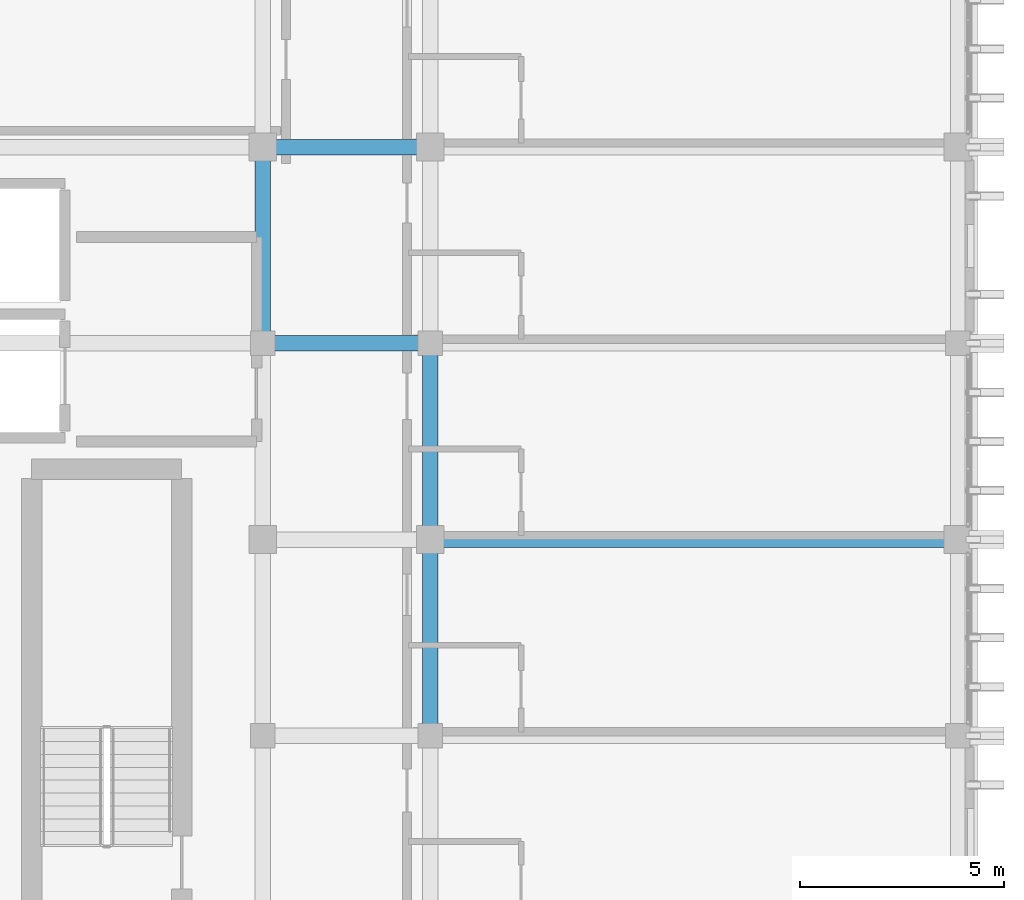
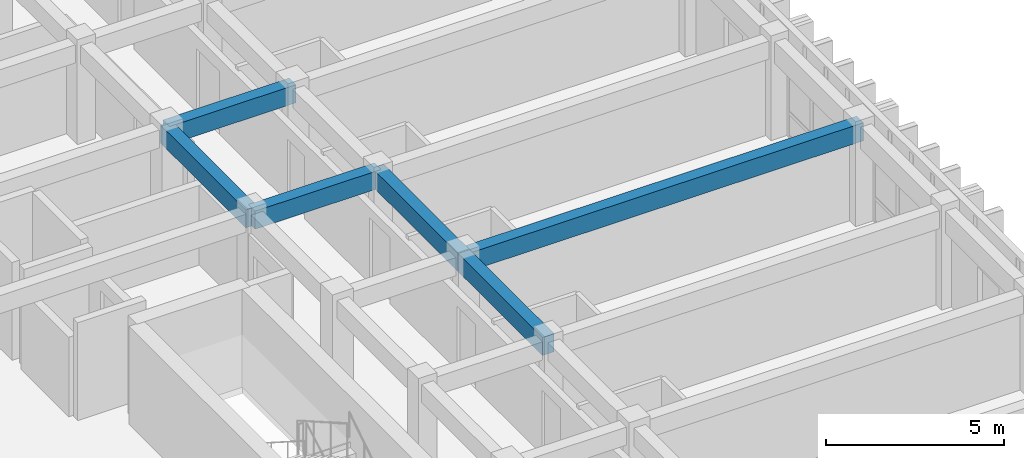
# One storey, part 22 of 53: 6 beams.
"""IFC4 building model written with IfcOpenShell, lengths in metres."""

from ifc_helpers import new_model, si_unit, direction, frame, origin, origin_2d, place, context, subcontext, project, spatial, rectangle, extrude, material, material_profile, profile_set, type_object, element, save


model = new_model("IFC4")

# Units and contexts
model_context = context("Model", 3, precision=1e-05, world=origin(), true_north=direction((0.0, 1.0)))
body_context = subcontext(model_context, "Body", "Model", "MODEL_VIEW")
ifc_project = project(units=[si_unit("LENGTHUNIT", "METRE"), si_unit("AREAUNIT", "SQUARE_METRE"), si_unit("VOLUMEUNIT", "CUBIC_METRE"), si_unit("PLANEANGLEUNIT", "RADIAN"), si_unit("MASSUNIT", "GRAM", prefix="KILO")], contexts=[model_context])

# Site, building, storey
site_placement = place(None, origin())
site = spatial("IfcSite", under=ifc_project, at=site_placement, CompositionType="ELEMENT")
building_placement = place(site_placement, origin())
building = spatial("IfcBuilding", under=site, at=building_placement, Name="Nakhvara Creek Congress Hotel", CompositionType="ELEMENT")
storey_placement = place(building_placement, frame((0.0, 0.0, 35.39990234375)))
storey = spatial("IfcBuildingStorey", under=building, at=storey_placement, Name="L08", CompositionType="ELEMENT", Elevation=35.39990234375)

# Beams
ifc_material = material(Name="Concrete C40/50", Category="concrete")
ifc_material_profile = material_profile(ifc_material, rectangle(XDim=0.3798828125, YDim=0.6201171875, at=origin_2d()), Name="RC-BM 380x620", Category="LoadBearing")
ifc_profile_set = profile_set([ifc_material_profile], Name="Concrete C40/50")
beam_type = type_object("IfcBeamType", Name="BM-RC-380X620", PredefinedType="BEAM", material=ifc_profile_set)
beam_1_placement = place(storey_placement, frame((162.35009765625, 96.0, 3.050048828125), z_axis=(1.0, 0.0, 0.0), x_axis=(0.0, 1.0, 0.0)))
element("IfcBeam", 1, at=beam_1_placement, inside=storey, type_object=beam_type, Name="Beam B10-L08-2462", PredefinedType="BEAM", context=body_context, shape_type="SweptSolid", body=[
    extrude(rectangle(XDim=0.3798828125, YDim=0.6201171875, at=origin_2d()), origin(), (0.0, 0.0, 1.0), 4.099853515625),
])
beam_2_placement = place(storey_placement, frame((162.35009765625, 91.199951171875, 3.050048828125), z_axis=(0.0, 1.0, 0.0), x_axis=(-1.0, 0.0, 0.0)))
element("IfcBeam", 2, at=beam_2_placement, inside=storey, type_object=beam_type, Name="Beam B10-L08-2463", PredefinedType="BEAM", context=body_context, shape_type="SweptSolid", body=[
    extrude(rectangle(XDim=0.3798828125, YDim=0.6201171875, at=origin_2d()), origin(), (0.0, 0.0, 1.0), 4.800048828125),
])
beam_3_placement = place(storey_placement, frame((166.449951171875, 86.39990234375, 3.050048828125), z_axis=(1.0, 0.0, 0.0), x_axis=(0.0, 1.0, 0.0)))
element("IfcBeam", 3, at=beam_3_placement, inside=storey, type_object=beam_type, Name="Beam B10-L08-2482", PredefinedType="BEAM", context=body_context, shape_type="SweptSolid", body=[
    extrude(rectangle(XDim=0.3798828125, YDim=0.6201171875, at=origin_2d()), origin(), (0.0, 0.0, 1.0), 12.900146484375),
])
beam_4_placement = place(storey_placement, frame((166.449951171875, 81.60009765625, 3.050048828125), z_axis=(0.0, 1.0, 0.0), x_axis=(-1.0, 0.0, 0.0)))
element("IfcBeam", 4, at=beam_4_placement, inside=storey, type_object=beam_type, Name="Beam B10-L08-2483", PredefinedType="BEAM", context=body_context, shape_type="SweptSolid", body=[
    extrude(rectangle(XDim=0.3798828125, YDim=0.6201171875, at=origin_2d()), origin(), (0.0, 0.0, 1.0), 4.7998046875),
])
beam_5_placement = place(storey_placement, frame((166.449951171875, 86.39990234375, 3.050048828125), z_axis=(0.0, 1.0, 0.0), x_axis=(-1.0, 0.0, 0.0)))
element("IfcBeam", 5, at=beam_5_placement, inside=storey, type_object=beam_type, Name="Beam B10-L08-2484", PredefinedType="BEAM", context=body_context, shape_type="SweptSolid", body=[
    extrude(rectangle(XDim=0.3798828125, YDim=0.6201171875, at=origin_2d()), origin(), (0.0, 0.0, 1.0), 4.800048828125),
])
beam_6_placement = place(storey_placement, frame((162.35009765625, 91.199951171875, 3.050048828125), z_axis=(1.0, 0.0, 0.0), x_axis=(0.0, 1.0, 0.0)))
element("IfcBeam", 6, at=beam_6_placement, inside=storey, type_object=beam_type, Name="Beam B10-L08-2521", PredefinedType="BEAM", context=body_context, shape_type="SweptSolid", body=[
    extrude(rectangle(XDim=0.3798828125, YDim=0.6201171875, at=origin_2d()), origin(), (0.0, 0.0, 1.0), 4.099853515625),
])

save(model, "model.ifc")
